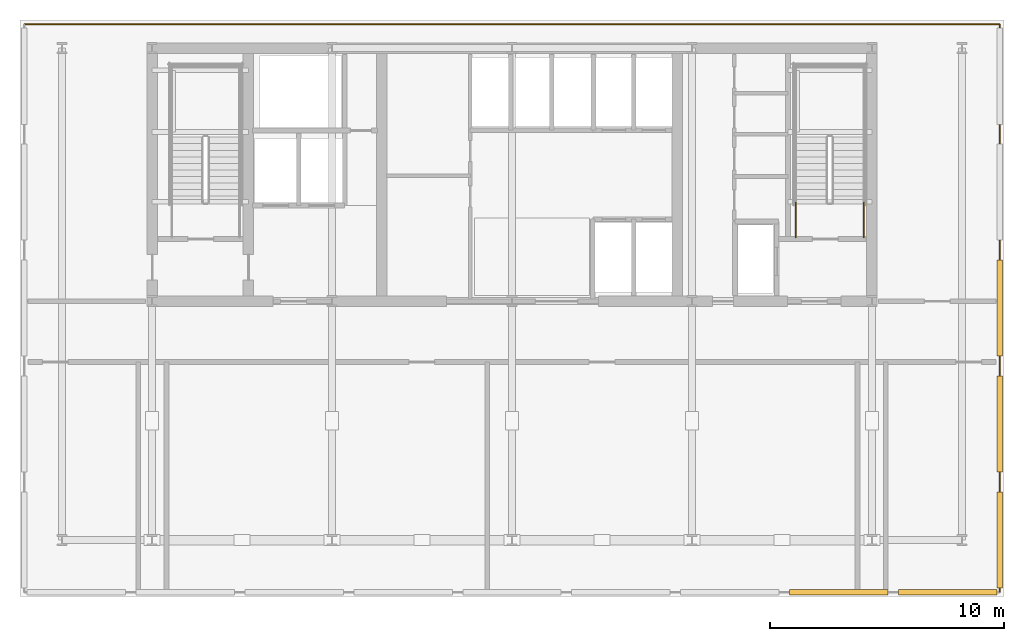
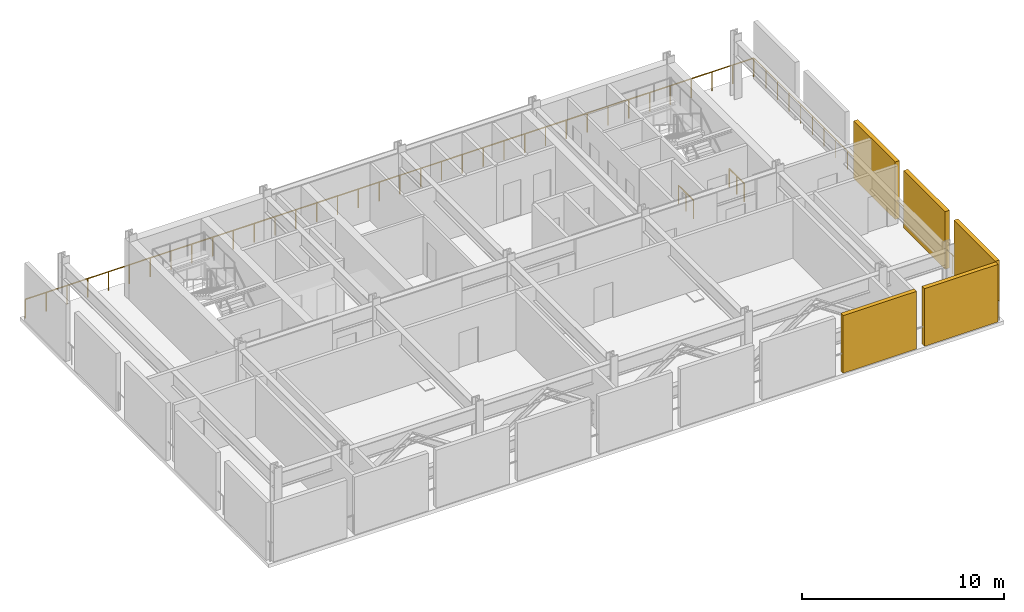
# One storey, part 6 of 7: 5 shading devices, 4 railings.
"""IFC4 building model written with IfcOpenShell, lengths in metres."""

from ifc_helpers import new_model, si_unit, direction, frame, origin, origin_2d, place, context, subcontext, project, spatial, rectangle, circle, extrude, material, layer, layer_set, type_object, element, save


model = new_model("IFC4")

# Units and contexts
model_context = context("Model", 3, precision=1e-05, world=origin(), true_north=direction((0.0, 1.0)))
body_context = subcontext(model_context, "Body", "Model", "MODEL_VIEW")
ifc_project = project(units=[si_unit("LENGTHUNIT", "METRE"), si_unit("AREAUNIT", "SQUARE_METRE"), si_unit("VOLUMEUNIT", "CUBIC_METRE"), si_unit("PLANEANGLEUNIT", "RADIAN"), si_unit("MASSUNIT", "GRAM", prefix="KILO")], contexts=[model_context])

# Site, building, storey
site_placement = place(None, origin())
site = spatial("IfcSite", under=ifc_project, at=site_placement, CompositionType="ELEMENT")
building_placement = place(site_placement, origin())
building = spatial("IfcBuilding", under=site, at=building_placement, Name="Yelkora Congress Tower", CompositionType="ELEMENT")
storey_placement = place(building_placement, frame((0.0, 0.0, 141.199951171875)))
storey = spatial("IfcBuildingStorey", under=building, at=storey_placement, Name="L38", CompositionType="ELEMENT", Elevation=141.199951171875)

# Railings
ifc_material_1 = material(Name="Stainless steel 316L and laminated glass infill", Category="steel")
ifc_layer_1 = layer(ifc_material_1, 0.080078125)
ifc_layer_set_1 = layer_set([ifc_layer_1], Name="Stainless steel 316L and laminated glass infill")
railing_type_1 = type_object("IfcRailingType", Name="RAIL-EXT-GUARD-1150", PredefinedType="GUARDRAIL", material=ifc_layer_set_1)
railing_1_placement = place(storey_placement, frame((59.219970703125, 23.0, 0.0)))
element("IfcRailing", 1, at=railing_1_placement, inside=storey, type_object=railing_type_1, Name="L38 Wind-Floor Perimeter Guardrail E", PredefinedType="GUARDRAIL", context=body_context, shape_type="SweptSolid", body=[
    extrude(circle(Radius=0.02392578125, at=origin_2d()), frame((0.0, 0.0, 1.1259765625), z_axis=(0.0, 1.0, 0.0), x_axis=(-1.0, 0.0, 0.0)), (0.0, 0.0, 1.0), 24.199951171875),
    extrude(circle(Radius=0.02099609375, at=origin_2d()), origin(), (0.0, 0.0, 1.0), 1.101806640625),
    extrude(circle(Radius=0.02099609375, at=origin_2d()), frame((0.0, 1.15234375, 0.0)), (0.0, 0.0, 1.0), 1.101806640625),
    extrude(circle(Radius=0.02099609375, at=origin_2d()), frame((0.0, 2.3046875, 0.0)), (0.0, 0.0, 1.0), 1.101806640625),
    extrude(circle(Radius=0.02099609375, at=origin_2d()), frame((0.0, 3.45703125, 0.0)), (0.0, 0.0, 1.0), 1.101806640625),
    extrude(circle(Radius=0.02099609375, at=origin_2d()), frame((0.0, 4.609619140625, 0.0)), (0.0, 0.0, 1.0), 1.101806640625),
    extrude(circle(Radius=0.02099609375, at=origin_2d()), frame((0.0, 5.761962890625, 0.0)), (0.0, 0.0, 1.0), 1.101806640625),
    extrude(circle(Radius=0.02099609375, at=origin_2d()), frame((0.0, 6.914306640625, 0.0)), (0.0, 0.0, 1.0), 1.101806640625),
    extrude(circle(Radius=0.02099609375, at=origin_2d()), frame((0.0, 8.066650390625, 0.0)), (0.0, 0.0, 1.0), 1.101806640625),
    extrude(circle(Radius=0.02099609375, at=origin_2d()), frame((0.0, 9.218994140625, 0.0)), (0.0, 0.0, 1.0), 1.101806640625),
    extrude(circle(Radius=0.02099609375, at=origin_2d()), frame((0.0, 10.371337890625, 0.0)), (0.0, 0.0, 1.0), 1.101806640625),
    extrude(circle(Radius=0.02099609375, at=origin_2d()), frame((0.0, 11.523681640625, 0.0)), (0.0, 0.0, 1.0), 1.101806640625),
    extrude(circle(Radius=0.02099609375, at=origin_2d()), frame((0.0, 12.67626953125, 0.0)), (0.0, 0.0, 1.0), 1.101806640625),
    extrude(circle(Radius=0.02099609375, at=origin_2d()), frame((0.0, 13.82861328125, 0.0)), (0.0, 0.0, 1.0), 1.101806640625),
    extrude(circle(Radius=0.02099609375, at=origin_2d()), frame((0.0, 14.98095703125, 0.0)), (0.0, 0.0, 1.0), 1.101806640625),
    extrude(circle(Radius=0.02099609375, at=origin_2d()), frame((0.0, 16.13330078125, 0.0)), (0.0, 0.0, 1.0), 1.101806640625),
    extrude(circle(Radius=0.02099609375, at=origin_2d()), frame((0.0, 17.28564453125, 0.0)), (0.0, 0.0, 1.0), 1.101806640625),
    extrude(circle(Radius=0.02099609375, at=origin_2d()), frame((0.0, 18.43798828125, 0.0)), (0.0, 0.0, 1.0), 1.101806640625),
    extrude(circle(Radius=0.02099609375, at=origin_2d()), frame((0.0, 19.59033203125, 0.0)), (0.0, 0.0, 1.0), 1.101806640625),
    extrude(circle(Radius=0.02099609375, at=origin_2d()), frame((0.0, 20.742919921875, 0.0)), (0.0, 0.0, 1.0), 1.101806640625),
    extrude(circle(Radius=0.02099609375, at=origin_2d()), frame((0.0, 21.895263671875, 0.0)), (0.0, 0.0, 1.0), 1.101806640625),
    extrude(circle(Radius=0.02099609375, at=origin_2d()), frame((0.0, 23.047607421875, 0.0)), (0.0, 0.0, 1.0), 1.101806640625),
    extrude(circle(Radius=0.02099609375, at=origin_2d()), frame((0.0, 24.199951171875, 0.0)), (0.0, 0.0, 1.0), 1.101806640625),
])
railing_2_placement = place(storey_placement, frame((17.60009765625, 47.219970703125, 0.0)))
element("IfcRailing", 2, at=railing_2_placement, inside=storey, type_object=railing_type_1, Name="L38 North Perimeter Guardrail", PredefinedType="GUARDRAIL", context=body_context, shape_type="SweptSolid", body=[
    extrude(circle(Radius=0.02392578125, at=origin_2d()), frame((0.0, 0.0, 1.1259765625), z_axis=(1.0, 0.0, 0.0), x_axis=(0.0, 1.0, 0.0)), (0.0, 0.0, 1.0), 41.599853515625),
    extrude(circle(Radius=0.02099609375, at=origin_2d()), origin(), (0.0, 0.0, 1.0), 1.101806640625),
    extrude(circle(Radius=0.02099609375, at=origin_2d()), frame((1.1884765625, 0.0, 0.0)), (0.0, 0.0, 1.0), 1.101806640625),
    extrude(circle(Radius=0.02099609375, at=origin_2d()), frame((2.377197265625, 0.0, 0.0)), (0.0, 0.0, 1.0), 1.101806640625),
    extrude(circle(Radius=0.02099609375, at=origin_2d()), frame((3.565673828125, 0.0, 0.0)), (0.0, 0.0, 1.0), 1.101806640625),
    extrude(circle(Radius=0.02099609375, at=origin_2d()), frame((4.754150390625, 0.0, 0.0)), (0.0, 0.0, 1.0), 1.101806640625),
    extrude(circle(Radius=0.02099609375, at=origin_2d()), frame((5.94287109375, 0.0, 0.0)), (0.0, 0.0, 1.0), 1.101806640625),
    extrude(circle(Radius=0.02099609375, at=origin_2d()), frame((7.13134765625, 0.0, 0.0)), (0.0, 0.0, 1.0), 1.101806640625),
    extrude(circle(Radius=0.02099609375, at=origin_2d()), frame((8.320068359375, 0.0, 0.0)), (0.0, 0.0, 1.0), 1.101806640625),
    extrude(circle(Radius=0.02099609375, at=origin_2d()), frame((9.508544921875, 0.0, 0.0)), (0.0, 0.0, 1.0), 1.101806640625),
    extrude(circle(Radius=0.02099609375, at=origin_2d()), frame((10.697021484375, 0.0, 0.0)), (0.0, 0.0, 1.0), 1.101806640625),
    extrude(circle(Radius=0.02099609375, at=origin_2d()), frame((11.8857421875, 0.0, 0.0)), (0.0, 0.0, 1.0), 1.101806640625),
    extrude(circle(Radius=0.02099609375, at=origin_2d()), frame((13.07421875, 0.0, 0.0)), (0.0, 0.0, 1.0), 1.101806640625),
    extrude(circle(Radius=0.02099609375, at=origin_2d()), frame((14.2626953125, 0.0, 0.0)), (0.0, 0.0, 1.0), 1.101806640625),
    extrude(circle(Radius=0.02099609375, at=origin_2d()), frame((15.451416015625, 0.0, 0.0)), (0.0, 0.0, 1.0), 1.101806640625),
    extrude(circle(Radius=0.02099609375, at=origin_2d()), frame((16.639892578125, 0.0, 0.0)), (0.0, 0.0, 1.0), 1.101806640625),
    extrude(circle(Radius=0.02099609375, at=origin_2d()), frame((17.82861328125, 0.0, 0.0)), (0.0, 0.0, 1.0), 1.101806640625),
    extrude(circle(Radius=0.02099609375, at=origin_2d()), frame((19.01708984375, 0.0, 0.0)), (0.0, 0.0, 1.0), 1.101806640625),
    extrude(circle(Radius=0.02099609375, at=origin_2d()), frame((20.20556640625, 0.0, 0.0)), (0.0, 0.0, 1.0), 1.101806640625),
    extrude(circle(Radius=0.02099609375, at=origin_2d()), frame((21.394287109375, 0.0, 0.0)), (0.0, 0.0, 1.0), 1.101806640625),
    extrude(circle(Radius=0.02099609375, at=origin_2d()), frame((22.582763671875, 0.0, 0.0)), (0.0, 0.0, 1.0), 1.101806640625),
    extrude(circle(Radius=0.02099609375, at=origin_2d()), frame((23.771240234375, 0.0, 0.0)), (0.0, 0.0, 1.0), 1.101806640625),
    extrude(circle(Radius=0.02099609375, at=origin_2d()), frame((24.9599609375, 0.0, 0.0)), (0.0, 0.0, 1.0), 1.101806640625),
    extrude(circle(Radius=0.02099609375, at=origin_2d()), frame((26.1484375, 0.0, 0.0)), (0.0, 0.0, 1.0), 1.101806640625),
    extrude(circle(Radius=0.02099609375, at=origin_2d()), frame((27.337158203125, 0.0, 0.0)), (0.0, 0.0, 1.0), 1.101806640625),
    extrude(circle(Radius=0.02099609375, at=origin_2d()), frame((28.525634765625, 0.0, 0.0)), (0.0, 0.0, 1.0), 1.101806640625),
    extrude(circle(Radius=0.02099609375, at=origin_2d()), frame((29.714111328125, 0.0, 0.0)), (0.0, 0.0, 1.0), 1.101806640625),
    extrude(circle(Radius=0.02099609375, at=origin_2d()), frame((30.90283203125, 0.0, 0.0)), (0.0, 0.0, 1.0), 1.101806640625),
    extrude(circle(Radius=0.02099609375, at=origin_2d()), frame((32.09130859375, 0.0, 0.0)), (0.0, 0.0, 1.0), 1.101806640625),
    extrude(circle(Radius=0.02099609375, at=origin_2d()), frame((33.27978515625, 0.0, 0.0)), (0.0, 0.0, 1.0), 1.101806640625),
    extrude(circle(Radius=0.02099609375, at=origin_2d()), frame((34.468505859375, 0.0, 0.0)), (0.0, 0.0, 1.0), 1.101806640625),
    extrude(circle(Radius=0.02099609375, at=origin_2d()), frame((35.656982421875, 0.0, 0.0)), (0.0, 0.0, 1.0), 1.101806640625),
    extrude(circle(Radius=0.02099609375, at=origin_2d()), frame((36.845703125, 0.0, 0.0)), (0.0, 0.0, 1.0), 1.101806640625),
    extrude(circle(Radius=0.02099609375, at=origin_2d()), frame((38.0341796875, 0.0, 0.0)), (0.0, 0.0, 1.0), 1.101806640625),
    extrude(circle(Radius=0.02099609375, at=origin_2d()), frame((39.22265625, 0.0, 0.0)), (0.0, 0.0, 1.0), 1.101806640625),
    extrude(circle(Radius=0.02099609375, at=origin_2d()), frame((40.411376953125, 0.0, 0.0)), (0.0, 0.0, 1.0), 1.101806640625),
    extrude(circle(Radius=0.02099609375, at=origin_2d()), frame((41.599853515625, 0.0, 0.0)), (0.0, 0.0, 1.0), 1.101806640625),
])
ifc_material_2 = material(Name="Painted galvanised steel stair well guard with vertical infill", Category="steel")
ifc_layer_2 = layer(ifc_material_2, 0.06005859375)
ifc_layer_set_2 = layer_set([ifc_layer_2], Name="Painted galvanised steel stair well guard with vertical infill")
railing_type_2 = type_object("IfcRailingType", Name="RAIL-STAIR-GUARD-1120", PredefinedType="GUARDRAIL", material=ifc_layer_set_2)
for number, where, name in (
    (3, (53.409912109375, 38.1201171875, 0.0), "ST-02 L38 Stair Well Guardrail 8"),
    (4, (50.510009765625, 38.1201171875, 0.0), "ST-02 L38 Stair Well Guardrail 9"),
):
    element("IfcRailing", number, at=place(storey_placement, frame(where)), inside=storey, type_object=railing_type_2, Name=name, PredefinedType="GUARDRAIL", context=body_context, shape_type="SweptSolid", body=[
        extrude(circle(Radius=0.02392578125, at=origin_2d()), frame((0.0, 0.0, 1.09619140625), z_axis=(0.0, 1.0, 0.0), x_axis=(-1.0, 0.0, 0.0)), (0.0, 0.0, 1.0), 1.47998046875),
        extrude(circle(Radius=0.02099609375, at=origin_2d()), origin(), (0.0, 0.0, 1.0), 1.072021484375),
        extrude(circle(Radius=0.02099609375, at=origin_2d()), frame((0.0, 0.739990234375, 0.0)), (0.0, 0.0, 1.0), 1.072021484375),
        extrude(circle(Radius=0.02099609375, at=origin_2d()), frame((0.0, 1.47998046875, 0.0)), (0.0, 0.0, 1.0), 1.072021484375),
    ])

# Shading devices
ifc_material_3 = material(Name="Perforated anodised aluminium louvre", Category="aluminium")
ifc_layer_3 = layer(ifc_material_3, 3.39990234375)
ifc_layer_set_3 = layer_set([ifc_layer_3], Name="Perforated anodised aluminium louvre")
shading_device_type = type_object("IfcShadingDeviceType", Name="SHD-LOUVRE-WIND", PredefinedType="JALOUSIE", material=ifc_layer_set_3)
for number, where, z_axis, x_axis, name in (
    (5, (59.219970703125, 25.199951171875, 0.0), (0.0, 0.0, 1.0), (1.0, 0.0, 0.0), "L38 Acoustic Wind-Floor Louvre Screen E1"),
    (6, (59.219970703125, 30.14990234375, 0.0), (0.0, 0.0, 1.0), (1.0, 0.0, 0.0), "L38 Acoustic Wind-Floor Louvre Screen E2"),
    (7, (59.219970703125, 35.10009765625, 0.0), (0.0, 0.0, 1.0), (1.0, 0.0, 0.0), "L38 Acoustic Wind-Floor Louvre Screen E3"),
):
    element("IfcShadingDevice", number, at=place(storey_placement, frame(where, z_axis=z_axis, x_axis=x_axis)), inside=storey, type_object=shading_device_type, Name=name, PredefinedType="JALOUSIE", context=body_context, shape_type="SweptSolid", body=[
        extrude(rectangle(XDim=0.239990234375, YDim=4.10009765625, at=origin_2d()), origin(), (0.0, 0.0, 1.0), 3.47998046875),
    ])
for number, where, z_axis, x_axis, name in (
    (8, (52.35009765625, 22.97998046875, 0.0), (0.0, 0.0, 1.0), (1.0, 0.0, 0.0), "L38 South Blow-Through Wind Louvre 8"),
    (9, (57.0, 22.97998046875, 0.0), (0.0, 0.0, 1.0), (1.0, 0.0, 0.0), "L38 South Blow-Through Wind Louvre 9"),
):
    element("IfcShadingDevice", number, at=place(storey_placement, frame(where, z_axis=z_axis, x_axis=x_axis)), inside=storey, type_object=shading_device_type, Name=name, PredefinedType="JALOUSIE", context=body_context, shape_type="SweptSolid", body=[
        extrude(rectangle(XDim=4.199951171875, YDim=0.239990234375, at=origin_2d()), origin(), (0.0, 0.0, 1.0), 3.47998046875),
    ])

save(model, "model.ifc")
